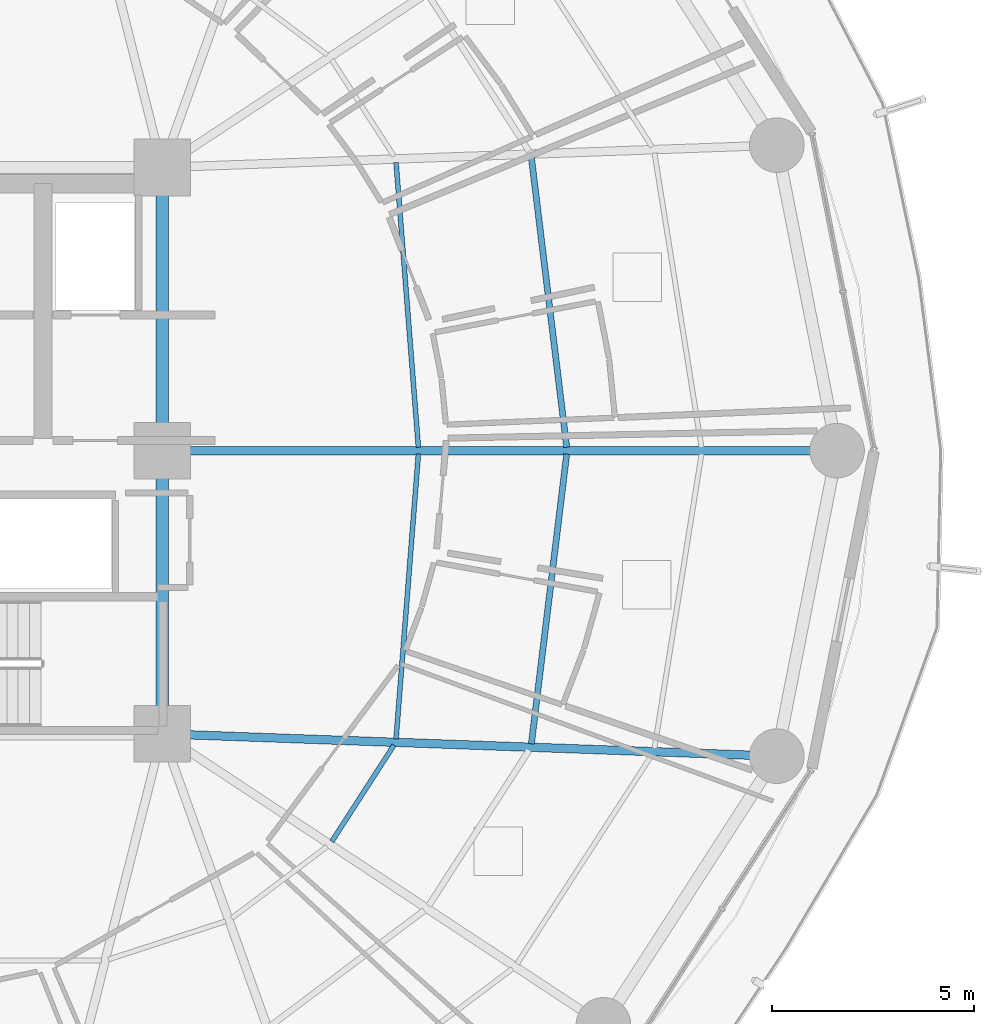
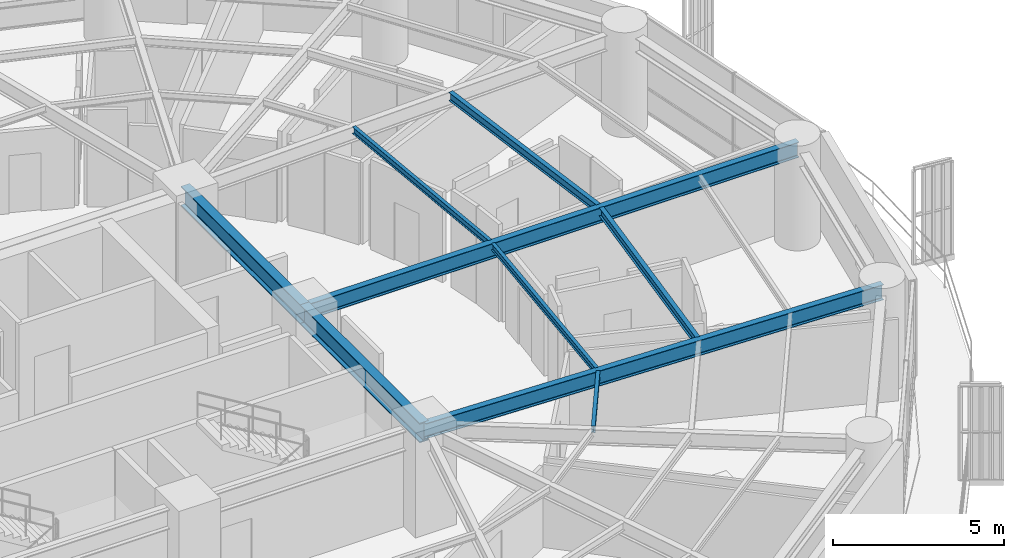
# One storey, part 14 of 35: 9 beams.
"""IFC4 building model written with IfcOpenShell, lengths in metres."""

from ifc_helpers import new_model, si_unit, direction, frame, origin, origin_2d, place, context, subcontext, project, spatial, i_section, extrude, material, material_profile, profile_set, type_object, element, save


model = new_model("IFC4")

# Units and contexts
model_context = context("Model", 3, precision=1e-05, world=origin(), true_north=direction((0.0, 1.0)))
body_context = subcontext(model_context, "Body", "Model", "MODEL_VIEW")
ifc_project = project(units=[si_unit("LENGTHUNIT", "METRE"), si_unit("AREAUNIT", "SQUARE_METRE"), si_unit("VOLUMEUNIT", "CUBIC_METRE"), si_unit("PLANEANGLEUNIT", "RADIAN"), si_unit("MASSUNIT", "GRAM", prefix="KILO")], contexts=[model_context])

# Site, building, storey
site_placement = place(None, origin())
site = spatial("IfcSite", under=ifc_project, at=site_placement, CompositionType="ELEMENT")
building_placement = place(site_placement, origin())
building = spatial("IfcBuilding", under=site, at=building_placement, Name="Kelanora Arch Commons", CompositionType="ELEMENT")
storey_placement = place(building_placement, frame((0.0, 0.0, 91.35009765625)))
storey = spatial("IfcBuildingStorey", under=building, at=storey_placement, Name="L23", CompositionType="ELEMENT", Elevation=91.35009765625)

# Beams
ifc_material = material(Name="Steel S355", Category="steel")
ifc_material_profile_1 = material_profile(ifc_material, i_section(OverallWidth=0.300048828125, OverallDepth=0.699951171875, WebThickness=0.01708984375, FlangeThickness=0.031982421875, FilletRadius=0.027099609375, at=origin_2d()), Name="HEB700")
ifc_profile_set_1 = profile_set([ifc_material_profile_1], Name="Steel S355")
beam_type_1 = type_object("IfcBeamType", Name="BM-CORE-HDR", PredefinedType="BEAM", material=ifc_profile_set_1)
for number, where, z_axis, x_axis, name in (
    (1, (82.0, 51.0, 3.139892578125), (0.0, 1.0, 0.0), (-1.0, 0.0, 0.0), "Core Header Beam 03 L23"),
    (2, (82.0, 58.0, 3.139892578125), (0.0, 1.0, 0.0), (-1.0, 0.0, 0.0), "Core Header Beam 04 L23"),
):
    element("IfcBeam", number, at=place(storey_placement, frame(where, z_axis=z_axis, x_axis=x_axis)), inside=storey, type_object=beam_type_1, Name=name, PredefinedType="BEAM", context=body_context, shape_type="SweptSolid", body=[
        extrude(i_section(OverallWidth=0.300048828125, OverallDepth=0.699951171875, WebThickness=0.01708984375, FlangeThickness=0.031982421875, FilletRadius=0.027099609375, at=origin_2d()), origin(), (0.0, 0.0, 1.0), 7.0),
    ])
ifc_material_profile_2 = material_profile(ifc_material, i_section(OverallWidth=0.14990234375, OverallDepth=0.300048828125, WebThickness=0.007080078125, FlangeThickness=0.0107421875, FilletRadius=0.014892578125, at=origin_2d()), Name="IPE300")
ifc_profile_set_2 = profile_set([ifc_material_profile_2], Name="Steel S355")
beam_type_2 = type_object("IfcBeamType", Name="BM-JST-01", PredefinedType="JOIST", material=ifc_profile_set_2)
for number, where, z_axis, x_axis, name in (
    (3, (91.997802734375, 58.08447265625, 3.33984375), (-0.120935645266, 0.992660349618, 0.0), (-0.992660349618, -0.120935645266, 0.0), "Secondary Chord Joist BJB-00 L23"),
    (4, (91.125244140625, 50.75341796875, 3.33984375), (0.120935645266, 0.992660349618, 0.0), (-0.992660349618, 0.120935645266, 0.0), "Secondary Chord Joist BJB-34 L23"),
):
    element("IfcBeam", number, at=place(storey_placement, frame(where, z_axis=z_axis, x_axis=x_axis)), inside=storey, type_object=beam_type_2, Name=name, PredefinedType="JOIST", context=body_context, shape_type="SweptSolid", body=[
        extrude(i_section(OverallWidth=0.14990234375, OverallDepth=0.300048828125, WebThickness=0.007080078125, FlangeThickness=0.0107421875, FilletRadius=0.014892578125, at=origin_2d()), origin(), (0.0, 0.0, 1.0), 7.215087890625),
    ])
ifc_material_profile_3 = material_profile(ifc_material, i_section(OverallWidth=0.1201171875, OverallDepth=0.239990234375, WebThickness=0.006103515625, FlangeThickness=0.009765625, FilletRadius=0.014892578125, at=origin_2d()), Name="IPE240")
ifc_profile_set_3 = profile_set([ifc_material_profile_3], Name="Steel S355")
beam_type_3 = type_object("IfcBeamType", Name="BM-JST-02", PredefinedType="JOIST", material=ifc_profile_set_3)
beam_1_placement = place(storey_placement, frame((88.331787109375, 58.084716796875, 3.369873046875), z_axis=(-0.078200677502, 0.996937637989, 0.0), x_axis=(-0.996937637989, -0.078200677502, 0.0)))
element("IfcBeam", 5, at=beam_1_placement, inside=storey, type_object=beam_type_3, Name="Secondary Chord Joist BJA-00 L23", PredefinedType="JOIST", context=body_context, shape_type="SweptSolid", body=[
    extrude(i_section(OverallWidth=0.1201171875, OverallDepth=0.239990234375, WebThickness=0.006103515625, FlangeThickness=0.009765625, FilletRadius=0.014892578125, at=origin_2d()), origin(), (0.0, 0.0, 1.0), 7.06201171875),
])
beam_2_placement = place(storey_placement, frame((86.1904296875, 48.338134765625, 3.369873046875), z_axis=(0.542211255502, 0.840242199849, 0.0), x_axis=(-0.840242199849, 0.542211255502, 0.0)))
element("IfcBeam", 6, at=beam_2_placement, inside=storey, type_object=beam_type_3, Name="Secondary Chord Joist BJA-32 L23", PredefinedType="JOIST", context=body_context, shape_type="SweptSolid", body=[
    extrude(i_section(OverallWidth=0.1201171875, OverallDepth=0.239990234375, WebThickness=0.006103515625, FlangeThickness=0.009765625, FilletRadius=0.014892578125, at=origin_2d()), origin(), (0.0, 0.0, 1.0), 2.83349609375),
])
beam_3_placement = place(storey_placement, frame((87.779541015625, 50.875, 3.369873046875), z_axis=(0.078200677502, 0.996937637989, 0.0), x_axis=(-0.996937637989, 0.078200677502, 0.0)))
element("IfcBeam", 7, at=beam_3_placement, inside=storey, type_object=beam_type_3, Name="Secondary Chord Joist BJA-34 L23", PredefinedType="JOIST", context=body_context, shape_type="SweptSolid", body=[
    extrude(i_section(OverallWidth=0.1201171875, OverallDepth=0.239990234375, WebThickness=0.006103515625, FlangeThickness=0.009765625, FilletRadius=0.014892578125, at=origin_2d()), origin(), (0.0, 0.0, 1.0), 7.06201171875),
])
ifc_material_profile_4 = material_profile(ifc_material, i_section(OverallWidth=0.2099609375, OverallDepth=0.550048828125, WebThickness=0.010986328125, FlangeThickness=0.01708984375, FilletRadius=0.02392578125, at=origin_2d()), Name="IPE550")
ifc_profile_set_4 = profile_set([ifc_material_profile_4], Name="Steel S355")
beam_type_4 = type_object("IfcBeamType", Name="BM-RAD-Z2", PredefinedType="BEAM", material=ifc_profile_set_4)
beam_4_placement = place(storey_placement, frame((82.0, 58.0, 3.21484375), z_axis=(1.0, 0.0, 0.0), x_axis=(0.0, 1.0, 0.0)))
element("IfcBeam", 8, at=beam_4_placement, inside=storey, type_object=beam_type_4, Name="Radial Floor Girder BR-00 L23", PredefinedType="BEAM", context=body_context, shape_type="SweptSolid", body=[
    extrude(i_section(OverallWidth=0.2099609375, OverallDepth=0.550048828125, WebThickness=0.010986328125, FlangeThickness=0.01708984375, FilletRadius=0.02392578125, at=origin_2d()), origin(), (0.0, 0.0, 1.0), 16.679931640625),
])
beam_5_placement = place(storey_placement, frame((82.0, 51.0, 3.21484375), z_axis=(0.999341087625, -0.036295875581, 0.0), x_axis=(0.036295875581, 0.999341087625, 0.0)))
element("IfcBeam", 9, at=beam_5_placement, inside=storey, type_object=beam_type_4, Name="Radial Floor Girder BR-34 L23", PredefinedType="BEAM", context=body_context, shape_type="SweptSolid", body=[
    extrude(i_section(OverallWidth=0.2099609375, OverallDepth=0.550048828125, WebThickness=0.010986328125, FlangeThickness=0.01708984375, FilletRadius=0.02392578125, at=origin_2d()), origin(), (0.0, 0.0, 1.0), 15.20166015625),
])

save(model, "model.ifc")
